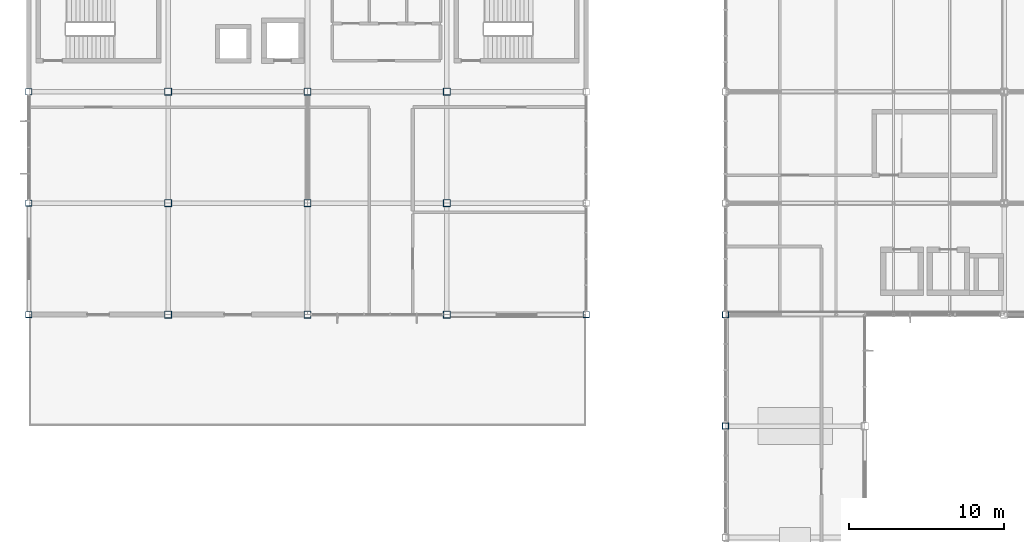
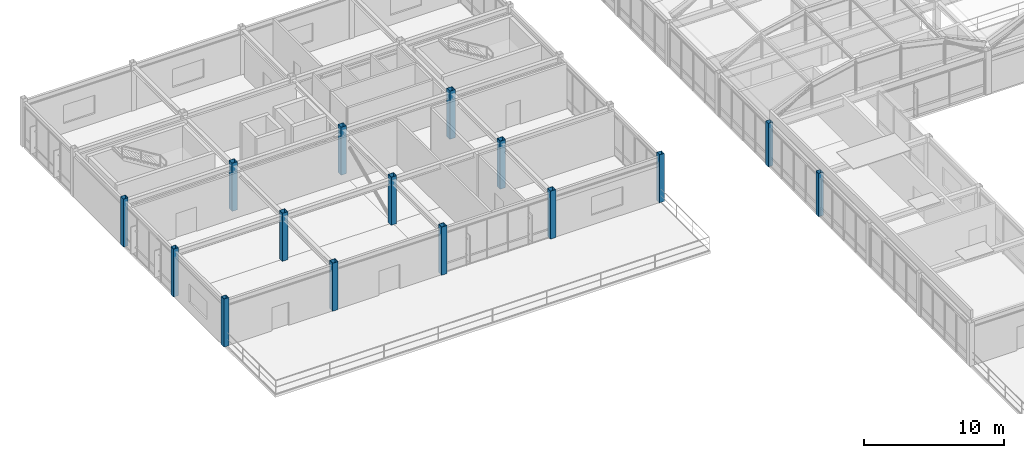
# One storey, part 2 of 106: 15 columns.
"""IFC4 building model written with IfcOpenShell, lengths in metres."""

from ifc_helpers import new_model, si_unit, direction, frame, origin, origin_2d, place, context, subcontext, project, spatial, hollow_rectangle, extrude, material, material_profile, profile_set, type_object, element, save


model = new_model("IFC4")

# Units and contexts
model_context = context("Model", 3, precision=1e-05, world=origin(), true_north=direction((0.0, 1.0)))
body_context = subcontext(model_context, "Body", "Model", "MODEL_VIEW")
ifc_project = project(units=[si_unit("LENGTHUNIT", "METRE"), si_unit("AREAUNIT", "SQUARE_METRE"), si_unit("VOLUMEUNIT", "CUBIC_METRE"), si_unit("PLANEANGLEUNIT", "RADIAN"), si_unit("MASSUNIT", "GRAM", prefix="KILO")], contexts=[model_context])

# Site, building, storey
site_placement = place(None, origin())
site = spatial("IfcSite", under=ifc_project, at=site_placement, CompositionType="ELEMENT")
building_placement = place(site_placement, origin())
building = spatial("IfcBuilding", under=site, at=building_placement, Name="Kazanami Central Library", CompositionType="ELEMENT")
storey_placement = place(building_placement, frame((0.0, 0.0, 12.800048828125)))
storey = spatial("IfcBuildingStorey", under=building, at=storey_placement, Name="L04", CompositionType="ELEMENT", Elevation=12.800048828125)

# Columns
ifc_material = material(Name="Steel BCP325 (325 MPa)", Category="steel")
ifc_material_profile_1 = material_profile(ifc_material, hollow_rectangle(XDim=0.39990234375, YDim=0.39990234375, WallThickness=0.01611328125, at=origin_2d()), Name="BCP-400x400x16")
ifc_profile_set_1 = profile_set([ifc_material_profile_1], Name="Steel BCP325 (325 MPa)")
column_type_1 = type_object("IfcColumnType", Name="COL-C-P3E", PredefinedType="COLUMN", material=ifc_profile_set_1)
for number, where, z_axis, x_axis, name in (
    (1, (0.0, 64.800048828125, 0.0), (0.0, 0.0, 1.0), (1.0, 0.0, 0.0), "Column C-P3E L04 1/K"),
    (2, (0.0, 72.0, 0.0), (0.0, 0.0, 1.0), (1.0, 0.0, 0.0), "Column C-P3E L04 1/L"),
    (3, (0.0, 79.199951171875, 0.0), (0.0, 0.0, 1.0), (1.0, 0.0, 0.0), "Column C-P3E L04 1/M"),
    (4, (36.0, 64.800048828125, 0.0), (0.0, 0.0, 1.0), (1.0, 0.0, 0.0), "Column C-P3E L04 5/K"),
):
    element("IfcColumn", number, at=place(storey_placement, frame(where, z_axis=z_axis, x_axis=x_axis)), inside=storey, type_object=column_type_1, Name=name, PredefinedType="COLUMN", context=body_context, shape_type="SweptSolid", body=[
        extrude(hollow_rectangle(XDim=0.39990234375, YDim=0.39990234375, WallThickness=0.01611328125, at=origin_2d()), origin(), (0.0, 0.0, 1.0), 4.199951171875),
    ])
for number, where, z_axis, x_axis, name in (
    (5, (45.0, 57.60009765625, 0.0), (0.0, 0.0, 1.0), (1.0, 0.0, 0.0), "Column C-P3E L04 6/J"),
    (6, (45.0, 64.800048828125, 0.0), (0.0, 0.0, 1.0), (1.0, 0.0, 0.0), "Column C-P3E L04 6/K"),
):
    element("IfcColumn", number, at=place(storey_placement, frame(where, z_axis=z_axis, x_axis=x_axis)), inside=storey, type_object=column_type_1, Name=name, PredefinedType="COLUMN", context=body_context, shape_type="SweptSolid", body=[
        extrude(hollow_rectangle(XDim=0.39990234375, YDim=0.39990234375, WallThickness=0.01611328125, at=origin_2d()), origin(), (0.0, 0.0, 1.0), 3.780029296875),
    ])
ifc_material_profile_2 = material_profile(ifc_material, hollow_rectangle(XDim=0.449951171875, YDim=0.449951171875, WallThickness=0.01904296875, at=origin_2d()), Name="BCP-450x450x19")
ifc_profile_set_2 = profile_set([ifc_material_profile_2], Name="Steel BCP325 (325 MPa)")
column_type_2 = type_object("IfcColumnType", Name="COL-C-P3I", PredefinedType="COLUMN", material=ifc_profile_set_2)
for number, where, z_axis, x_axis, name in (
    (7, (9.0, 64.800048828125, 0.0), (0.0, 0.0, 1.0), (1.0, 0.0, 0.0), "Column C-P3I L04 2/K"),
    (8, (9.0, 72.0, 0.0), (0.0, 0.0, 1.0), (1.0, 0.0, 0.0), "Column C-P3I L04 2/L"),
    (9, (9.0, 79.199951171875, 0.0), (0.0, 0.0, 1.0), (1.0, 0.0, 0.0), "Column C-P3I L04 2/M"),
    (10, (18.0, 64.800048828125, 0.0), (0.0, 0.0, 1.0), (1.0, 0.0, 0.0), "Column C-P3I L04 3/K"),
    (11, (18.0, 72.0, 0.0), (0.0, 0.0, 1.0), (1.0, 0.0, 0.0), "Column C-P3I L04 3/L"),
    (12, (18.0, 79.199951171875, 0.0), (0.0, 0.0, 1.0), (1.0, 0.0, 0.0), "Column C-P3I L04 3/M"),
    (13, (27.0, 64.800048828125, 0.0), (0.0, 0.0, 1.0), (1.0, 0.0, 0.0), "Column C-P3I L04 4/K"),
    (14, (27.0, 72.0, 0.0), (0.0, 0.0, 1.0), (1.0, 0.0, 0.0), "Column C-P3I L04 4/L"),
    (15, (27.0, 79.199951171875, 0.0), (0.0, 0.0, 1.0), (1.0, 0.0, 0.0), "Column C-P3I L04 4/M"),
):
    element("IfcColumn", number, at=place(storey_placement, frame(where, z_axis=z_axis, x_axis=x_axis)), inside=storey, type_object=column_type_2, Name=name, PredefinedType="COLUMN", context=body_context, shape_type="SweptSolid", body=[
        extrude(hollow_rectangle(XDim=0.449951171875, YDim=0.449951171875, WallThickness=0.01904296875, at=origin_2d()), origin(), (0.0, 0.0, 1.0), 4.199951171875),
    ])

save(model, "model.ifc")
